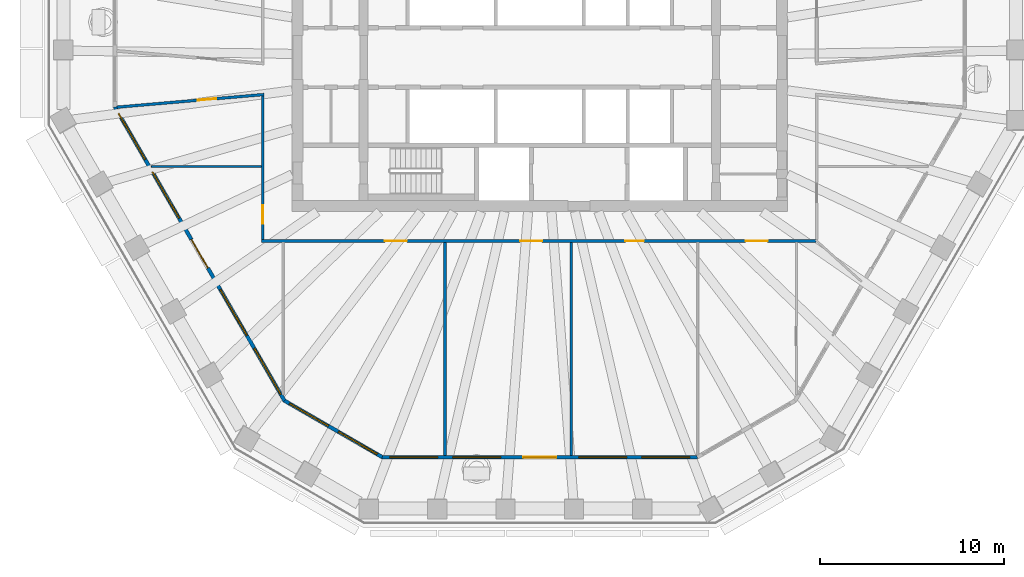
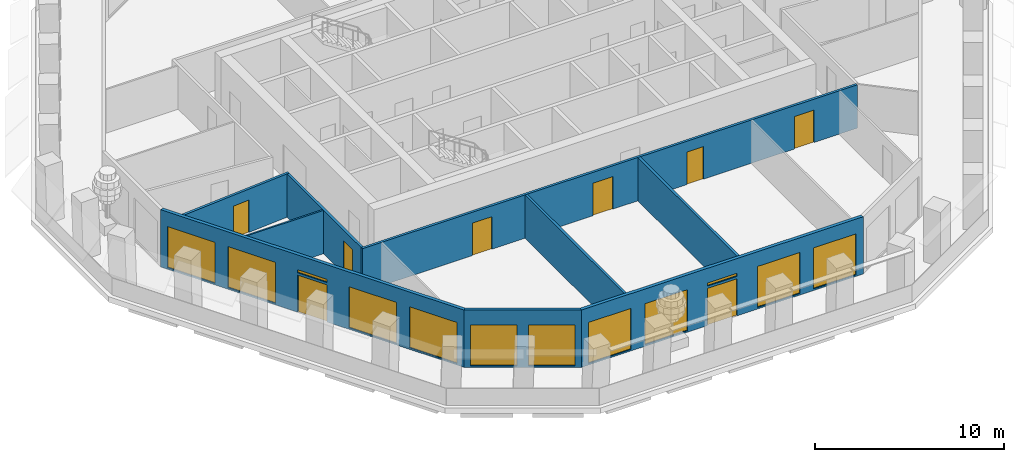
# One storey, part 3 of 12: 12 windows, 9 walls, 8 doors, 20 openings.
"""IFC4 building model written with IfcOpenShell, lengths in metres."""

import ifcopenshell
import ifcopenshell.guid

model = None  # the IFC model being written
_history = None  # IfcOwnerHistory: only IFC2X3 demands one
_inside = {}  # id of a spatial element -> (the spatial element, [elements in it])
_under = {}  # id of a project, library or spatial element -> (it, [spatial elements below it])
_declared = {}  # id of a project -> (the project, [libraries it declares])
_typed = {}  # id of a type object -> (the type object, [elements of that type])
_made_of = {}  # id of a material, layer set ... -> (it, [elements and type objects made of it])


def new_model(schema):
    """Start an empty IFC model of exactly this schema.

    Asked for "IFC4X3", IfcOpenShell would pick the latest addendum, in which some entities
    have other attributes; the version numbers below select the first issue.
    IFC2X3 requires an IfcOwnerHistory on every rooted entity: one is made here for all.
    """
    global model, _history
    if schema == "IFC4X3":
        model = ifcopenshell.file(schema_version=(4, 3, 0, 0))
    else:
        model = ifcopenshell.file(schema=schema)
    _inside.clear()
    _under.clear()
    _declared.clear()
    _typed.clear()
    _made_of.clear()
    _history = None
    if model.schema == "IFC2X3":
        org = make("IfcOrganization", Name="unknown")
        user = make(
            "IfcPersonAndOrganization",
            ThePerson=make("IfcPerson", FamilyName="unknown"),
            TheOrganization=org,
        )
        app = make(
            "IfcApplication",
            ApplicationDeveloper=org,
            Version="unknown",
            ApplicationFullName="unknown",
            ApplicationIdentifier="unknown",
        )
        _history = make(
            "IfcOwnerHistory",
            OwningUser=user,
            OwningApplication=app,
            ChangeAction="ADDED",
            CreationDate=0,
        )
    return model


def make(cls, **values):
    """One entity of the class cls with the attributes given. An attribute that is None is left unset."""
    return model.create_entity(
        cls, **{name: value for name, value in values.items() if value is not None}
    )


def rooted(cls, **values):
    """An entity with a GlobalId (a new one), such as an element, a storey or a relation."""
    return make(cls, GlobalId=ifcopenshell.guid.new(), OwnerHistory=_history, **values)


def si_unit(unit_type, name, prefix=None):
    """IfcSIUnit, for example si_unit("LENGTHUNIT", "METRE", prefix="MILLI")."""
    return make("IfcSIUnit", UnitType=unit_type, Prefix=prefix, Name=name)


def assignment(units):
    """IfcUnitAssignment: the units of a project."""
    return None if units is None else make("IfcUnitAssignment", Units=units)


def point(xyz):
    """IfcCartesianPoint."""
    return None if xyz is None else make("IfcCartesianPoint", Coordinates=xyz)


def direction(xyz):
    """IfcDirection."""
    return None if xyz is None else make("IfcDirection", DirectionRatios=xyz)


def frame(location, z_axis=None, x_axis=None):
    """IfcAxis2Placement3D, a coordinate frame: its origin and axes. An axis left out is left unset."""
    return make(
        "IfcAxis2Placement3D",
        Location=point(location),
        Axis=direction(z_axis),
        RefDirection=direction(x_axis),
    )


def frame_2d(location, x_axis=None):
    """IfcAxis2Placement2D, a coordinate frame in the plane: its origin and x axis."""
    return make(
        "IfcAxis2Placement2D", Location=point(location), RefDirection=direction(x_axis)
    )


def origin():
    """The frame at (0, 0, 0) with its axes left unset."""
    return frame((0.0, 0.0, 0.0))


def place(relative_to, where):
    """IfcLocalPlacement: puts the frame where relative to a parent placement (None: the world)."""
    return make(
        "IfcLocalPlacement", PlacementRelTo=relative_to, RelativePlacement=where
    )


def context(
    kind, dimensions, precision=None, world=None, true_north=None, identifier=None
):
    """IfcGeometricRepresentationContext, for example the 3D "Model" context."""
    return make(
        "IfcGeometricRepresentationContext",
        ContextIdentifier=identifier,
        ContextType=kind,
        CoordinateSpaceDimension=dimensions,
        Precision=precision,
        WorldCoordinateSystem=world,
        TrueNorth=true_north,
    )


def subcontext(parent, identifier, kind, view, scale=None):
    """IfcGeometricRepresentationSubContext, for example "Body" below "Model"."""
    return make(
        "IfcGeometricRepresentationSubContext",
        ContextIdentifier=identifier,
        ContextType=kind,
        ParentContext=parent,
        TargetScale=scale,
        TargetView=view,
    )


def project(units=None, contexts=None):
    """IfcProject with its units and contexts."""
    return rooted(
        "IfcProject",
        Name="project",
        RepresentationContexts=contexts,
        UnitsInContext=assignment(units),
    )


def spatial(cls, under=None, at=None, **own):
    """A site, building, storey or space (cls), placed at a placement, below another one or the project."""
    s = rooted(cls, ObjectPlacement=at, **own)
    if under is not None:
        _under.setdefault(under.id(), (under, []))[1].append(s)
    return s


def polyline(points):
    """IfcPolyline through the points."""
    return make("IfcPolyline", Points=[point(p) for p in points])


def profile(cls, at=None, kind="AREA", **sizes):
    """A parametric profile (cls). Its sizes go by their IFC names, for example OverallWidth=200.0."""
    return make(cls, ProfileType=kind, Position=at, **sizes)


def rectangle(**sizes):
    """IfcRectangleProfileDef."""
    return profile("IfcRectangleProfileDef", **sizes)


def outline(outer, holes=None, kind="AREA"):
    """IfcArbitraryClosedProfileDef: a profile drawn as a closed curve; with holes, ...WithVoids."""
    if holes is None:
        return make("IfcArbitraryClosedProfileDef", ProfileType=kind, OuterCurve=outer)
    return make(
        "IfcArbitraryProfileDefWithVoids",
        ProfileType=kind,
        OuterCurve=outer,
        InnerCurves=holes,
    )


def extrude(swept, where, along, depth):
    """IfcExtrudedAreaSolid: the profile swept, set in the frame where, extruded along a direction by depth."""
    return make(
        "IfcExtrudedAreaSolid",
        SweptArea=swept,
        Position=where,
        ExtrudedDirection=direction(along),
        Depth=depth,
    )


def shape(context_of_items, identifier, shape_type, items):
    """IfcShapeRepresentation: the items that make up one representation, for example the "Body"."""
    return make(
        "IfcShapeRepresentation",
        ContextOfItems=context_of_items,
        RepresentationIdentifier=identifier,
        RepresentationType=shape_type,
        Items=items,
    )


def material(Name=None, Category=None):
    """IfcMaterial."""
    return make("IfcMaterial", Name=Name, Category=Category)


def layer(
    of_material, thickness, ventilated=None, Name=None, Category=None, Priority=None
):
    """IfcMaterialLayer: one layer of a wall or slab, of a material (None: an air gap)."""
    return make(
        "IfcMaterialLayer",
        Material=of_material,
        LayerThickness=thickness,
        IsVentilated=ventilated,
        Name=Name,
        Category=Category,
        Priority=Priority,
    )


def layer_set(layers, Name=None):
    """IfcMaterialLayerSet."""
    return make("IfcMaterialLayerSet", MaterialLayers=layers, LayerSetName=Name)


def made_of(thing, what):
    """Note that an element or type object is made of a material, layer set ...; save() writes the relation."""
    if what is not None:
        _made_of.setdefault(what.id(), (what, []))[1].append(thing)
    return thing


def type_object(cls, material=None, **own):
    """A type object (cls), such as IfcWallType, which elements share."""
    return made_of(rooted(cls, **own), material)


def element(
    cls,
    number,
    at=None,
    inside=None,
    cuts=None,
    type_object=None,
    material=None,
    context=None,
    identifier="Body",
    shape_type=None,
    held_by="IfcProductDefinitionShape",
    body=None,
    shapes=None,
    **own,
):
    """One element of the class cls, such as IfcWall. Its Tag is "e" and its number.

    at: its placement. inside: the storey or other place that contains it. cuts: it is an
    opening in that element (IfcRelVoidsElement). A single representation is given by context,
    identifier, shape_type and body (its items); several are given by shapes. held_by: the class
    of the entity that holds the representations. save() writes the other relations.
    """
    e = rooted(cls, Tag="e%d" % number, ObjectPlacement=at, **own)
    if body is not None:
        shapes = [shape(context, identifier, shape_type, body)]
    if shapes is not None:
        e.Representation = make(held_by, Representations=shapes)
    if inside is not None:
        _inside.setdefault(inside.id(), (inside, []))[1].append(e)
    if cuts is not None:
        rooted(
            "IfcRelVoidsElement", RelatingBuildingElement=cuts, RelatedOpeningElement=e
        )
    if type_object is not None:
        _typed.setdefault(type_object.id(), (type_object, []))[1].append(e)
    return made_of(e, material)


def fill(opening, filler):
    """IfcRelFillsElement: the door or window that sits in an opening."""
    return rooted(
        "IfcRelFillsElement",
        RelatingOpeningElement=opening,
        RelatedBuildingElement=filler,
    )


def aggregate(whole, parts):
    """IfcRelAggregates: a whole, such as a stair, and the parts it consists of."""
    return rooted("IfcRelAggregates", RelatingObject=whole, RelatedObjects=parts)


def save(model, path):
    """Write the relations noted so far, then the file.

    IfcRelAggregates (storeys below a building ...), IfcRelContainedInSpatialStructure (elements
    in a storey), IfcRelDefinesByType, IfcRelAssociatesMaterial and IfcRelDeclares: one each for
    every whole, place, type object, material and project.
    """
    for whole, parts in _under.values():
        aggregate(whole, parts)
    for where, things in _inside.values():
        rooted(
            "IfcRelContainedInSpatialStructure",
            RelatedElements=things,
            RelatingStructure=where,
        )
    for kind, things in _typed.values():
        rooted("IfcRelDefinesByType", RelatedObjects=things, RelatingType=kind)
    for what, things in _made_of.values():
        rooted("IfcRelAssociatesMaterial", RelatedObjects=things, RelatingMaterial=what)
    for by, libraries in _declared.values():
        rooted("IfcRelDeclares", RelatingContext=by, RelatedDefinitions=libraries)
    model.write(path)


model = new_model("IFC4")

# Units and contexts
model_context = context("Model", 3, precision=1e-05, world=origin(), true_north=direction((0.0, 1.0)))
body_context = subcontext(model_context, "Body", "Model", "MODEL_VIEW")
ifc_project = project(units=[si_unit("LENGTHUNIT", "METRE"), si_unit("AREAUNIT", "SQUARE_METRE"), si_unit("VOLUMEUNIT", "CUBIC_METRE"), si_unit("PLANEANGLEUNIT", "RADIAN"), si_unit("MASSUNIT", "GRAM", prefix="KILO")], contexts=[model_context])

# Site, building, storey
site_placement = place(None, origin())
site = spatial("IfcSite", under=ifc_project, at=site_placement, CompositionType="ELEMENT")
building_placement = place(site_placement, origin())
building = spatial("IfcBuilding", under=site, at=building_placement, Name="Frailejon Research Tower", CompositionType="ELEMENT")
storey_placement = place(building_placement, frame((0.0, 0.0, 223.39990234375)))
storey = spatial("IfcBuildingStorey", under=building, at=storey_placement, Name="L48", CompositionType="ELEMENT", Elevation=223.39990234375)

# Wall, opening, door
ifc_material_1 = material(Name="Gypsum board and masonry partition", Category="masonry")
ifc_layer_1 = layer(ifc_material_1, 0.14990234375)
ifc_layer_set_1 = layer_set([ifc_layer_1], Name="Corridor wall EI 60, gypsum on steel studs 150")
wall_type_1 = type_object("IfcWallType", Name="Corridor wall EI 60, gypsum on steel studs 150", PredefinedType="PARTITIONING", material=ifc_layer_set_1)
wall_1_placement = place(storey_placement, frame((-15.10009765625, -9.925048828125, 0.0), z_axis=(0.0, 0.0, 1.0), x_axis=(0.0, 1.0, 0.0)))
wall_1 = element("IfcWall", 1, at=wall_1_placement, inside=storey, type_object=wall_type_1, Name="T:IW:L48:004", PredefinedType="PARTITIONING", context=body_context, shape_type="SweptSolid", body=[
    extrude(rectangle(XDim=7.825439453125, YDim=0.14990234375, at=frame_2d((3.91259765625, 0.0))), origin(), (0.0, 0.0, 1.0), 2.800048828125),
])
opening_1_placement = place(wall_1_placement, frame((0.8662109375, 0.0, 0.0)))
opening_1 = element("IfcOpeningElement", 2, at=opening_1_placement, cuts=wall_1, Name="Opening D1983", PredefinedType="OPENING", context=body_context, shape_type="SweptSolid", body=[
    extrude(rectangle(XDim=1.0, YDim=2.10009765625, at=frame_2d((0.5, 1.050048828125))), frame((0.0, 0.0849609375, 0.0), z_axis=(0.0, -1.0, 0.0), x_axis=(1.0, 0.0, 0.0)), (0.0, 0.0, 1.0), 0.169921875),
])
ifc_material_2 = material(Name="Timber door leaf", Category="wood")
door_type_1 = type_object("IfcDoorType", Name="Door single leaf, timber, steel frame 1000", OperationType="NOTDEFINED", PredefinedType="DOOR", material=ifc_material_2)
door_1_placement = place(opening_1_placement, origin())
door_1 = element("IfcDoor", 3, at=door_1_placement, inside=storey, type_object=door_type_1, Name="D1983", OperationType="SINGLE_SWING_RIGHT", OverallHeight=2.10009765625, OverallWidth=1.0, PredefinedType="DOOR", context=body_context, shape_type="SweptSolid", body=[
    extrude(rectangle(XDim=1.0, YDim=2.10009765625, at=frame_2d((0.5, 1.050048828125))), frame((0.0, 0.02490234375, 0.0), z_axis=(0.0, -1.0, 0.0), x_axis=(1.0, 0.0, 0.0)), (0.0, 0.0, 1.0), 0.050048828125),
])
fill(opening_1, door_1)

# Wall, openings, doors
wall_2_placement = place(storey_placement, frame((-15.175048828125, -10.0, 0.0), z_axis=(0.0, 0.0, 1.0), x_axis=(1.0, 0.0, 0.0)))
wall_2 = element("IfcWall", 4, at=wall_2_placement, inside=storey, type_object=wall_type_1, Name="T:IW:L48:006", PredefinedType="PARTITIONING", context=body_context, shape_type="SweptSolid", body=[
    extrude(rectangle(XDim=30.22509765625, YDim=0.14990234375, at=frame_2d((15.112548828125, 0.0))), origin(), (0.0, 0.0, 1.0), 2.800048828125),
])
opening_2_placement = place(wall_2_placement, frame((6.727783203125, 0.0, 0.0)))
opening_2 = element("IfcOpeningElement", 5, at=opening_2_placement, cuts=wall_2, Name="Opening D1984", PredefinedType="OPENING", context=body_context, shape_type="SweptSolid", body=[
    extrude(rectangle(XDim=1.199951171875, YDim=2.10009765625, at=frame_2d((0.60009765625, 1.050048828125))), frame((0.0, 0.0849609375, 0.0), z_axis=(0.0, -1.0, 0.0), x_axis=(1.0, 0.0, 0.0)), (0.0, 0.0, 1.0), 0.169921875),
])
opening_3_placement = place(wall_2_placement, frame((14.10009765625, 0.0, 0.0)))
opening_3 = element("IfcOpeningElement", 6, at=opening_3_placement, cuts=wall_2, Name="Opening D1985", PredefinedType="OPENING", context=body_context, shape_type="SweptSolid", body=[
    extrude(rectangle(XDim=1.199951171875, YDim=2.10009765625, at=frame_2d((0.60009765625, 1.050048828125))), frame((0.0, 0.0849609375, 0.0), z_axis=(0.0, -1.0, 0.0), x_axis=(1.0, 0.0, 0.0)), (0.0, 0.0, 1.0), 0.169921875),
])
opening_4_placement = place(wall_2_placement, frame((19.84228515625, 0.0, 0.0)))
opening_4 = element("IfcOpeningElement", 7, at=opening_4_placement, cuts=wall_2, Name="Opening D1986", PredefinedType="OPENING", context=body_context, shape_type="SweptSolid", body=[
    extrude(rectangle(XDim=1.0, YDim=2.10009765625, at=frame_2d((0.5, 1.050048828125))), frame((0.0, 0.0849609375, 0.0), z_axis=(0.0, -1.0, 0.0), x_axis=(1.0, 0.0, 0.0)), (0.0, 0.0, 1.0), 0.169921875),
])
opening_5_placement = place(wall_2_placement, frame((26.395751953125, 0.0, 0.0)))
opening_5 = element("IfcOpeningElement", 8, at=opening_5_placement, cuts=wall_2, Name="Opening D1987", PredefinedType="OPENING", context=body_context, shape_type="SweptSolid", body=[
    extrude(rectangle(XDim=1.199951171875, YDim=2.10009765625, at=frame_2d((0.60009765625, 1.050048828125))), frame((0.0, 0.0849609375, 0.0), z_axis=(0.0, -1.0, 0.0), x_axis=(1.0, 0.0, 0.0)), (0.0, 0.0, 1.0), 0.169921875),
])
ifc_material_3 = material(Name="Timber door leaf", Category="wood")
door_type_2 = type_object("IfcDoorType", Name="Door laboratory, timber, vision panel 1200", OperationType="NOTDEFINED", PredefinedType="DOOR", material=ifc_material_3)
door_2_placement = place(opening_3_placement, origin())
door_2 = element("IfcDoor", 9, at=door_2_placement, inside=storey, type_object=door_type_2, Name="D1985", OperationType="DOUBLE_DOOR_SINGLE_SWING", OverallHeight=2.10009765625, OverallWidth=1.199951171875, PredefinedType="DOOR", context=body_context, shape_type="SweptSolid", body=[
    extrude(rectangle(XDim=1.199951171875, YDim=2.10009765625, at=frame_2d((0.60009765625, 1.050048828125))), frame((0.0, 0.02490234375, 0.0), z_axis=(0.0, -1.0, 0.0), x_axis=(1.0, 0.0, 0.0)), (0.0, 0.0, 1.0), 0.050048828125),
])
fill(opening_3, door_2)
door_3_placement = place(opening_4_placement, origin())
door_3 = element("IfcDoor", 10, at=door_3_placement, inside=storey, type_object=door_type_1, Name="D1986", OperationType="SINGLE_SWING_LEFT", OverallHeight=2.10009765625, OverallWidth=1.0, PredefinedType="DOOR", context=body_context, shape_type="SweptSolid", body=[
    extrude(rectangle(XDim=1.0, YDim=2.10009765625, at=frame_2d((0.5, 1.050048828125))), frame((0.0, 0.02490234375, 0.0), z_axis=(0.0, -1.0, 0.0), x_axis=(1.0, 0.0, 0.0)), (0.0, 0.0, 1.0), 0.050048828125),
])
fill(opening_4, door_3)
ifc_material_4 = material(Name="Timber door leaf", Category="wood")
door_type_3 = type_object("IfcDoorType", Name="Door single leaf, timber, steel frame 1200", OperationType="NOTDEFINED", PredefinedType="DOOR", material=ifc_material_4)
door_4_placement = place(opening_2_placement, origin())
door_4 = element("IfcDoor", 11, at=door_4_placement, inside=storey, type_object=door_type_3, Name="D1984", OperationType="DOUBLE_DOOR_SINGLE_SWING", OverallHeight=2.10009765625, OverallWidth=1.199951171875, PredefinedType="DOOR", context=body_context, shape_type="SweptSolid", body=[
    extrude(rectangle(XDim=1.199951171875, YDim=2.10009765625, at=frame_2d((0.60009765625, 1.050048828125))), frame((0.0, 0.02490234375, 0.0), z_axis=(0.0, -1.0, 0.0), x_axis=(1.0, 0.0, 0.0)), (0.0, 0.0, 1.0), 0.050048828125),
])
fill(opening_2, door_4)
door_5_placement = place(opening_5_placement, origin())
door_5 = element("IfcDoor", 12, at=door_5_placement, inside=storey, type_object=door_type_3, Name="D1987", OperationType="DOUBLE_DOOR_SINGLE_SWING", OverallHeight=2.10009765625, OverallWidth=1.199951171875, PredefinedType="DOOR", context=body_context, shape_type="SweptSolid", body=[
    extrude(rectangle(XDim=1.199951171875, YDim=2.10009765625, at=frame_2d((0.60009765625, 1.050048828125))), frame((0.0, 0.02490234375, 0.0), z_axis=(0.0, -1.0, 0.0), x_axis=(1.0, 0.0, 0.0)), (0.0, 0.0, 1.0), 0.050048828125),
])
fill(opening_5, door_5)

# Wall, opening, door
wall_3_placement = place(storey_placement, frame((-23.031982421875, -2.707275390625, 0.0), z_axis=(0.0, 0.0, 1.0), x_axis=(0.99631556311, 0.085763038105, 0.0)))
wall_3 = element("IfcWall", 13, at=wall_3_placement, inside=storey, type_object=wall_type_1, Name="T:IW:L48:008", PredefinedType="PARTITIONING", context=body_context, shape_type="SweptSolid", body=[
    extrude(rectangle(XDim=8.0361328125, YDim=0.14990234375, at=frame_2d((4.01806640625, 0.0))), origin(), (0.0, 0.0, 1.0), 2.800048828125),
])
opening_6_placement = place(wall_3_placement, frame((4.419921875, 0.0, 0.0)))
opening_6 = element("IfcOpeningElement", 14, at=opening_6_placement, cuts=wall_3, Name="Opening D1982", PredefinedType="OPENING", context=body_context, shape_type="SweptSolid", body=[
    extrude(rectangle(XDim=1.0, YDim=2.10009765625, at=frame_2d((0.5, 1.050048828125))), frame((0.0, 0.0849609375, 0.0), z_axis=(0.0, -1.0, 0.0), x_axis=(1.0, 0.0, 0.0)), (0.0, 0.0, 1.0), 0.169921875),
])
door_6_placement = place(opening_6_placement, origin())
door_6 = element("IfcDoor", 15, at=door_6_placement, inside=storey, type_object=door_type_1, Name="D1982", OperationType="SINGLE_SWING_RIGHT", OverallHeight=2.10009765625, OverallWidth=1.0, PredefinedType="DOOR", context=body_context, shape_type="SweptSolid", body=[
    extrude(rectangle(XDim=1.0, YDim=2.10009765625, at=frame_2d((0.5, 1.050048828125))), frame((0.0, 0.02490234375, 0.0), z_axis=(0.0, -1.0, 0.0), x_axis=(1.0, 0.0, 0.0)), (0.0, 0.0, 1.0), 0.050048828125),
])
fill(opening_6, door_6)

# Walls
ifc_material_5 = material(Name="Gypsum board and masonry partition", Category="masonry")
ifc_layer_2 = layer(ifc_material_5, 0.14990234375)
ifc_layer_set_2 = layer_set([ifc_layer_2], Name="Laboratory partition, blockwork 150")
wall_type_2 = type_object("IfcWallType", Name="Laboratory partition, blockwork 150", PredefinedType="PARTITIONING", material=ifc_layer_set_2)
for number, where, z_axis, x_axis, name in (
    (16, (-5.167236328125, -21.677001953125, 0.0), (0.0, 0.0, 1.0), (0.0, 1.0, 0.0), "T:IW:L48:011"),
    (17, (1.722412109375, -21.677001953125, 0.0), (0.0, 0.0, 1.0), (0.0, 1.0, 0.0), "T:IW:L48:012"),
):
    element("IfcWall", number, at=place(storey_placement, frame(where, z_axis=z_axis, x_axis=x_axis)), inside=storey, type_object=wall_type_2, Name=name, PredefinedType="PARTITIONING", context=body_context, shape_type="SweptSolid", body=[
        extrude(rectangle(XDim=11.60205078125, YDim=0.14990234375, at=frame_2d((5.801025390625, 0.0))), origin(), (0.0, 0.0, 1.0), 2.800048828125),
    ])
ifc_material_6 = material(Name="Gypsum board and masonry partition", Category="masonry")
ifc_layer_3 = layer(ifc_material_6, 0.10009765625)
ifc_layer_set_3 = layer_set([ifc_layer_3], Name="Partition, gypsum on steel studs 100")
wall_type_3 = type_object("IfcWallType", Name="Partition, gypsum on steel studs 100", PredefinedType="PARTITIONING", material=ifc_layer_set_3)
wall_4_placement = place(storey_placement, frame((-21.168212890625, -5.935791015625, 0.0), z_axis=(0.0, 0.0, 1.0), x_axis=(1.0, 0.0, 0.0)))
element("IfcWall", 18, at=wall_4_placement, inside=storey, type_object=wall_type_3, Name="T:IW:L48:018", PredefinedType="PARTITIONING", context=body_context, shape_type="SweptSolid", body=[
    extrude(rectangle(XDim=5.9931640625, YDim=0.10009765625, at=frame_2d((2.99658203125, 0.0))), origin(), (0.0, 0.0, 1.0), 2.800048828125),
])

# Wall, openings, door, windows
ifc_material_7 = material(Name="Concrete C40/50 precast window wall panel", Category="concrete")
ifc_layer_4 = layer(ifc_material_7, 0.199951171875)
ifc_layer_set_4 = layer_set([ifc_layer_4], Name="Window wall 200")
wall_type_4 = type_object("IfcWallType", Name="Window wall 200", PredefinedType="SOLIDWALL", material=ifc_layer_set_4)
wall_5_placement = place(storey_placement, frame((-23.152099609375, -2.69921875, 0.0), z_axis=(0.0, 0.0, 1.0), x_axis=(0.499993148765, -0.866029359311, 0.0)))
wall_5 = element("IfcWall", 19, at=wall_5_placement, inside=storey, type_object=wall_type_4, Name="Exterior wall L48", PredefinedType="SOLIDWALL", context=body_context, shape_type="SweptSolid", body=[
    extrude(outline(polyline([(-0.02685546875, -0.10009765625), (1.002685546875, -0.10009765625), (2.031982421875, -0.10009765625), (3.0615234375, -0.10009765625), (4.091064453125, -0.10009765625), (5.12060546875, -0.10009765625), (6.14990234375, -0.10009765625), (7.179443359375, -0.10009765625), (8.208984375, -0.10009765625), (9.23828125, -0.10009765625), (10.267822265625, -0.10009765625), (11.29736328125, -0.10009765625), (12.326904296875, -0.10009765625), (13.356201171875, -0.10009765625), (14.3857421875, -0.10009765625), (15.415283203125, -0.10009765625), (16.44482421875, -0.10009765625), (17.47412109375, -0.10009765625), (18.503662109375, -0.10009765625), (18.449951171875, 0.10009765625), (17.426513671875, 0.10009765625), (16.40283203125, 0.10009765625), (15.37939453125, 0.10009765625), (14.35595703125, 0.10009765625), (13.33251953125, 0.10009765625), (12.308837890625, 0.10009765625), (11.285400390625, 0.10009765625), (10.261962890625, 0.10009765625), (9.23828125, 0.10009765625), (8.21484375, 0.10009765625), (7.19140625, 0.10009765625), (6.16796875, 0.10009765625), (5.144287109375, 0.10009765625), (4.120849609375, 0.10009765625), (3.097412109375, 0.10009765625), (2.073974609375, 0.10009765625), (1.05029296875, 0.10009765625), (0.02685546875, 0.10009765625), (-0.02685546875, -0.10009765625)])), origin(), (0.0, 0.0, 1.0), 3.7001953125),
])
opening_7_placement = place(wall_5_placement, frame((0.397705078125, 0.0, 0.10009765625)))
opening_7 = element("IfcOpeningElement", 20, at=opening_7_placement, cuts=wall_5, Name="Opening W20", PredefinedType="OPENING", context=body_context, shape_type="SweptSolid", body=[
    extrude(rectangle(XDim=2.89990234375, YDim=2.64990234375, at=frame_2d((1.449951171875, 1.324951171875))), frame((0.0, 0.10986328125, 0.0), z_axis=(0.0, -1.0, 0.0), x_axis=(1.0, 0.0, 0.0)), (0.0, 0.0, 1.0), 0.219970703125),
])
opening_8_placement = place(wall_5_placement, frame((4.093017578125, 0.0, 0.10009765625)))
opening_8 = element("IfcOpeningElement", 21, at=opening_8_placement, cuts=wall_5, Name="Opening W20", PredefinedType="OPENING", context=body_context, shape_type="SweptSolid", body=[
    extrude(rectangle(XDim=2.89990234375, YDim=2.64990234375, at=frame_2d((1.449951171875, 1.324951171875))), frame((0.0, 0.10986328125, 0.0), z_axis=(0.0, -1.0, 0.0), x_axis=(1.0, 0.0, 0.0)), (0.0, 0.0, 1.0), 0.219970703125),
])
opening_9_placement = place(wall_5_placement, frame((8.33837890625, 0.0, 0.0)))
opening_9 = element("IfcOpeningElement", 22, at=opening_9_placement, cuts=wall_5, Name="Opening LG48-4", PredefinedType="OPENING", context=body_context, shape_type="SweptSolid", body=[
    extrude(rectangle(XDim=1.800048828125, YDim=2.39990234375, at=frame_2d((0.89990234375, 1.199951171875))), frame((0.0, 0.10986328125, 0.0), z_axis=(0.0, -1.0, 0.0), x_axis=(1.0, 0.0, 0.0)), (0.0, 0.0, 1.0), 0.219970703125),
])
opening_10_placement = place(wall_5_placement, frame((8.33837890625, 0.0, 2.550048828125)))
opening_10 = element("IfcOpeningElement", 23, at=opening_10_placement, cuts=wall_5, Name="Opening W19", PredefinedType="OPENING", context=body_context, shape_type="SweptSolid", body=[
    extrude(rectangle(XDim=1.800048828125, YDim=0.199951171875, at=frame_2d((0.89990234375, 0.10009765625))), frame((0.0, 0.10986328125, 0.0), z_axis=(0.0, -1.0, 0.0), x_axis=(1.0, 0.0, 0.0)), (0.0, 0.0, 1.0), 0.219970703125),
])
opening_11_placement = place(wall_5_placement, frame((11.483642578125, 0.0, 0.10009765625)))
opening_11 = element("IfcOpeningElement", 24, at=opening_11_placement, cuts=wall_5, Name="Opening W20", PredefinedType="OPENING", context=body_context, shape_type="SweptSolid", body=[
    extrude(rectangle(XDim=2.89990234375, YDim=2.64990234375, at=frame_2d((1.449951171875, 1.324951171875))), frame((0.0, 0.10986328125, 0.0), z_axis=(0.0, -1.0, 0.0), x_axis=(1.0, 0.0, 0.0)), (0.0, 0.0, 1.0), 0.219970703125),
])
opening_12_placement = place(wall_5_placement, frame((15.178955078125, 0.0, 0.10009765625)))
opening_12 = element("IfcOpeningElement", 25, at=opening_12_placement, cuts=wall_5, Name="Opening W20", PredefinedType="OPENING", context=body_context, shape_type="SweptSolid", body=[
    extrude(rectangle(XDim=2.89990234375, YDim=2.64990234375, at=frame_2d((1.449951171875, 1.324951171875))), frame((0.0, 0.10986328125, 0.0), z_axis=(0.0, -1.0, 0.0), x_axis=(1.0, 0.0, 0.0)), (0.0, 0.0, 1.0), 0.219970703125),
])
ifc_material_8 = material(Name="Aluminium framed glazed door leaf", Category="aluminium")
door_type_4 = type_object("IfcDoorType", Name="Loggia door 1800x2400", OperationType="DOUBLE_DOOR_SINGLE_SWING", PredefinedType="DOOR", material=ifc_material_8)
door_7_placement = place(opening_9_placement, origin())
door_7 = element("IfcDoor", 26, at=door_7_placement, inside=storey, type_object=door_type_4, Name="Door LG48-4", OperationType="DOUBLE_DOOR_SINGLE_SWING", OverallHeight=2.39990234375, OverallWidth=1.800048828125, PredefinedType="DOOR", context=body_context, shape_type="SweptSolid", body=[
    extrude(rectangle(XDim=1.800048828125, YDim=2.39990234375, at=frame_2d((0.89990234375, 1.199951171875))), frame((0.0, 0.02490234375, 0.0), z_axis=(0.0, -1.0, 0.0), x_axis=(1.0, 0.0, 0.0)), (0.0, 0.0, 1.0), 0.050048828125),
])
fill(opening_9, door_7)
ifc_material_9 = material(Name="Aluminium framed double glazing", Category="aluminium")
window_type_1 = type_object("IfcWindowType", Name="Window 1800x200", PartitioningType="SINGLE_PANEL", PredefinedType="WINDOW", material=ifc_material_9)
window_1_placement = place(opening_10_placement, origin())
window_1 = element("IfcWindow", 27, at=window_1_placement, inside=storey, type_object=window_type_1, Name="Window L48", OverallHeight=0.199951171875, OverallWidth=1.800048828125, PartitioningType="SINGLE_PANEL", PredefinedType="WINDOW", context=body_context, shape_type="SweptSolid", body=[
    extrude(rectangle(XDim=1.800048828125, YDim=0.199951171875, at=frame_2d((0.89990234375, 0.10009765625))), frame((0.0, 0.030029296875, 0.0), z_axis=(0.0, -1.0, 0.0), x_axis=(1.0, 0.0, 0.0)), (0.0, 0.0, 1.0), 0.06005859375),
])
fill(opening_10, window_1)
ifc_material_10 = material(Name="Aluminium framed double glazing", Category="aluminium")
window_type_2 = type_object("IfcWindowType", Name="Window 2900x2650", PartitioningType="SINGLE_PANEL", PredefinedType="WINDOW", material=ifc_material_10)
window_2_placement = place(opening_7_placement, origin())
window_2 = element("IfcWindow", 28, at=window_2_placement, inside=storey, type_object=window_type_2, Name="Window L48", OverallHeight=2.64990234375, OverallWidth=2.89990234375, PartitioningType="SINGLE_PANEL", PredefinedType="WINDOW", context=body_context, shape_type="SweptSolid", body=[
    extrude(rectangle(XDim=2.89990234375, YDim=2.64990234375, at=frame_2d((1.449951171875, 1.324951171875))), frame((0.0, 0.030029296875, 0.0), z_axis=(0.0, -1.0, 0.0), x_axis=(1.0, 0.0, 0.0)), (0.0, 0.0, 1.0), 0.06005859375),
])
fill(opening_7, window_2)
window_3_placement = place(opening_8_placement, origin())
window_3 = element("IfcWindow", 29, at=window_3_placement, inside=storey, type_object=window_type_2, Name="Window L48", OverallHeight=2.64990234375, OverallWidth=2.89990234375, PartitioningType="SINGLE_PANEL", PredefinedType="WINDOW", context=body_context, shape_type="SweptSolid", body=[
    extrude(rectangle(XDim=2.89990234375, YDim=2.64990234375, at=frame_2d((1.449951171875, 1.324951171875))), frame((0.0, 0.030029296875, 0.0), z_axis=(0.0, -1.0, 0.0), x_axis=(1.0, 0.0, 0.0)), (0.0, 0.0, 1.0), 0.06005859375),
])
fill(opening_8, window_3)
window_4_placement = place(opening_11_placement, origin())
window_4 = element("IfcWindow", 30, at=window_4_placement, inside=storey, type_object=window_type_2, Name="Window L48", OverallHeight=2.64990234375, OverallWidth=2.89990234375, PartitioningType="SINGLE_PANEL", PredefinedType="WINDOW", context=body_context, shape_type="SweptSolid", body=[
    extrude(rectangle(XDim=2.89990234375, YDim=2.64990234375, at=frame_2d((1.449951171875, 1.324951171875))), frame((0.0, 0.030029296875, 0.0), z_axis=(0.0, -1.0, 0.0), x_axis=(1.0, 0.0, 0.0)), (0.0, 0.0, 1.0), 0.06005859375),
])
fill(opening_11, window_4)
window_5_placement = place(opening_12_placement, origin())
window_5 = element("IfcWindow", 31, at=window_5_placement, inside=storey, type_object=window_type_2, Name="Window L48", OverallHeight=2.64990234375, OverallWidth=2.89990234375, PartitioningType="SINGLE_PANEL", PredefinedType="WINDOW", context=body_context, shape_type="SweptSolid", body=[
    extrude(rectangle(XDim=2.89990234375, YDim=2.64990234375, at=frame_2d((1.449951171875, 1.324951171875))), frame((0.0, 0.030029296875, 0.0), z_axis=(0.0, -1.0, 0.0), x_axis=(1.0, 0.0, 0.0)), (0.0, 0.0, 1.0), 0.06005859375),
])
fill(opening_12, window_5)

# Wall, openings, windows
wall_6_placement = place(storey_placement, frame((-13.913818359375, -18.70068359375, 0.0), z_axis=(0.0, 0.0, 1.0), x_axis=(0.866029647142, -0.499992650217, 0.0)))
wall_6 = element("IfcWall", 32, at=wall_6_placement, inside=storey, type_object=wall_type_4, Name="Exterior wall L48", PredefinedType="SOLIDWALL", context=body_context, shape_type="SweptSolid", body=[
    extrude(outline(polyline([(-0.02685546875, -0.10009765625), (1.007568359375, -0.10009765625), (2.0419921875, -0.10009765625), (3.076416015625, -0.10009765625), (4.11083984375, -0.10009765625), (5.145263671875, -0.10009765625), (6.1796875, -0.10009765625), (6.1259765625, 0.10009765625), (5.109375, 0.10009765625), (4.093017578125, 0.10009765625), (3.076416015625, 0.10009765625), (2.059814453125, 0.10009765625), (1.04345703125, 0.10009765625), (0.02685546875, 0.10009765625), (-0.02685546875, -0.10009765625)])), origin(), (0.0, 0.0, 1.0), 3.7001953125),
])
opening_13_placement = place(wall_6_placement, frame((0.313232421875, 0.0, 0.10009765625)))
opening_13 = element("IfcOpeningElement", 33, at=opening_13_placement, cuts=wall_6, Name="Opening W17", PredefinedType="OPENING", context=body_context, shape_type="SweptSolid", body=[
    extrude(rectangle(XDim=2.449951171875, YDim=2.64990234375, at=frame_2d((1.22509765625, 1.324951171875))), frame((0.0, 0.10986328125, 0.0), z_axis=(0.0, -1.0, 0.0), x_axis=(1.0, 0.0, 0.0)), (0.0, 0.0, 1.0), 0.219970703125),
])
opening_14_placement = place(wall_6_placement, frame((3.3896484375, 0.0, 0.10009765625)))
opening_14 = element("IfcOpeningElement", 34, at=opening_14_placement, cuts=wall_6, Name="Opening W17", PredefinedType="OPENING", context=body_context, shape_type="SweptSolid", body=[
    extrude(rectangle(XDim=2.449951171875, YDim=2.64990234375, at=frame_2d((1.22509765625, 1.324951171875))), frame((0.0, 0.10986328125, 0.0), z_axis=(0.0, -1.0, 0.0), x_axis=(1.0, 0.0, 0.0)), (0.0, 0.0, 1.0), 0.219970703125),
])
ifc_material_11 = material(Name="Aluminium framed double glazing", Category="aluminium")
window_type_3 = type_object("IfcWindowType", Name="Window 2450x2650", PartitioningType="SINGLE_PANEL", PredefinedType="WINDOW", material=ifc_material_11)
window_6_placement = place(opening_13_placement, origin())
window_6 = element("IfcWindow", 35, at=window_6_placement, inside=storey, type_object=window_type_3, Name="Window L48", OverallHeight=2.64990234375, OverallWidth=2.449951171875, PartitioningType="SINGLE_PANEL", PredefinedType="WINDOW", context=body_context, shape_type="SweptSolid", body=[
    extrude(rectangle(XDim=2.449951171875, YDim=2.64990234375, at=frame_2d((1.22509765625, 1.324951171875))), frame((0.0, 0.030029296875, 0.0), z_axis=(0.0, -1.0, 0.0), x_axis=(1.0, 0.0, 0.0)), (0.0, 0.0, 1.0), 0.06005859375),
])
fill(opening_13, window_6)
window_7_placement = place(opening_14_placement, origin())
window_7 = element("IfcWindow", 36, at=window_7_placement, inside=storey, type_object=window_type_3, Name="Window L48", OverallHeight=2.64990234375, OverallWidth=2.449951171875, PartitioningType="SINGLE_PANEL", PredefinedType="WINDOW", context=body_context, shape_type="SweptSolid", body=[
    extrude(rectangle(XDim=2.449951171875, YDim=2.64990234375, at=frame_2d((1.22509765625, 1.324951171875))), frame((0.0, 0.030029296875, 0.0), z_axis=(0.0, -1.0, 0.0), x_axis=(1.0, 0.0, 0.0)), (0.0, 0.0, 1.0), 0.06005859375),
])
fill(opening_14, window_7)

# Wall, openings, door, windows
wall_7_placement = place(storey_placement, frame((-8.585205078125, -21.777099609375, 0.0), z_axis=(0.0, 0.0, 1.0), x_axis=(1.0, 0.0, 0.0)))
wall_7 = element("IfcWall", 37, at=wall_7_placement, inside=storey, type_object=wall_type_4, Name="Exterior wall L48", PredefinedType="SOLIDWALL", context=body_context, shape_type="SweptSolid", body=[
    extrude(outline(polyline([(-0.02685546875, -0.10009765625), (0.986328125, -0.10009765625), (1.99951171875, -0.10009765625), (3.0126953125, -0.10009765625), (4.02587890625, -0.10009765625), (5.0390625, -0.10009765625), (6.05224609375, -0.10009765625), (7.0654296875, -0.10009765625), (8.07861328125, -0.10009765625), (9.091796875, -0.10009765625), (10.10498046875, -0.10009765625), (11.1181640625, -0.10009765625), (12.13134765625, -0.10009765625), (13.14453125, -0.10009765625), (14.15771484375, -0.10009765625), (15.1708984375, -0.10009765625), (16.18408203125, -0.10009765625), (17.197265625, -0.10009765625), (17.1435546875, 0.10009765625), (16.13671875, 0.10009765625), (15.1298828125, 0.10009765625), (14.123046875, 0.10009765625), (13.1162109375, 0.10009765625), (12.109130859375, 0.10009765625), (11.102294921875, 0.10009765625), (10.095458984375, 0.10009765625), (9.088623046875, 0.10009765625), (8.081787109375, 0.10009765625), (7.074951171875, 0.10009765625), (6.068115234375, 0.10009765625), (5.061279296875, 0.10009765625), (4.05419921875, 0.10009765625), (3.04736328125, 0.10009765625), (2.04052734375, 0.10009765625), (1.03369140625, 0.10009765625), (0.02685546875, 0.10009765625), (-0.02685546875, -0.10009765625)])), origin(), (0.0, 0.0, 1.0), 3.7001953125),
])
opening_15_placement = place(wall_7_placement, frame((0.4169921875, 0.0, 0.10009765625)))
opening_15 = element("IfcOpeningElement", 38, at=opening_15_placement, cuts=wall_7, Name="Opening W18", PredefinedType="OPENING", context=body_context, shape_type="SweptSolid", body=[
    extrude(rectangle(XDim=2.60009765625, YDim=2.64990234375, at=frame_2d((1.300048828125, 1.324951171875))), frame((0.0, 0.10986328125, 0.0), z_axis=(0.0, -1.0, 0.0), x_axis=(1.0, 0.0, 0.0)), (0.0, 0.0, 1.0), 0.219970703125),
])
opening_16_placement = place(wall_7_placement, frame((3.85107421875, 0.0, 0.10009765625)))
opening_16 = element("IfcOpeningElement", 39, at=opening_16_placement, cuts=wall_7, Name="Opening W18", PredefinedType="OPENING", context=body_context, shape_type="SweptSolid", body=[
    extrude(rectangle(XDim=2.60009765625, YDim=2.64990234375, at=frame_2d((1.300048828125, 1.324951171875))), frame((0.0, 0.10986328125, 0.0), z_axis=(0.0, -1.0, 0.0), x_axis=(1.0, 0.0, 0.0)), (0.0, 0.0, 1.0), 0.219970703125),
])
opening_17_placement = place(wall_7_placement, frame((7.685302734375, 0.0, 0.0)))
opening_17 = element("IfcOpeningElement", 40, at=opening_17_placement, cuts=wall_7, Name="Opening LG48-5", PredefinedType="OPENING", context=body_context, shape_type="SweptSolid", body=[
    extrude(rectangle(XDim=1.800048828125, YDim=2.39990234375, at=frame_2d((0.89990234375, 1.199951171875))), frame((0.0, 0.10986328125, 0.0), z_axis=(0.0, -1.0, 0.0), x_axis=(1.0, 0.0, 0.0)), (0.0, 0.0, 1.0), 0.219970703125),
])
opening_18_placement = place(wall_7_placement, frame((7.685302734375, 0.0, 2.550048828125)))
opening_18 = element("IfcOpeningElement", 41, at=opening_18_placement, cuts=wall_7, Name="Opening W19", PredefinedType="OPENING", context=body_context, shape_type="SweptSolid", body=[
    extrude(rectangle(XDim=1.800048828125, YDim=0.199951171875, at=frame_2d((0.89990234375, 0.10009765625))), frame((0.0, 0.10986328125, 0.0), z_axis=(0.0, -1.0, 0.0), x_axis=(1.0, 0.0, 0.0)), (0.0, 0.0, 1.0), 0.219970703125),
])
opening_19_placement = place(wall_7_placement, frame((10.71923828125, 0.0, 0.10009765625)))
opening_19 = element("IfcOpeningElement", 42, at=opening_19_placement, cuts=wall_7, Name="Opening W18", PredefinedType="OPENING", context=body_context, shape_type="SweptSolid", body=[
    extrude(rectangle(XDim=2.60009765625, YDim=2.64990234375, at=frame_2d((1.300048828125, 1.324951171875))), frame((0.0, 0.10986328125, 0.0), z_axis=(0.0, -1.0, 0.0), x_axis=(1.0, 0.0, 0.0)), (0.0, 0.0, 1.0), 0.219970703125),
])
opening_20_placement = place(wall_7_placement, frame((14.1533203125, 0.0, 0.10009765625)))
opening_20 = element("IfcOpeningElement", 43, at=opening_20_placement, cuts=wall_7, Name="Opening W18", PredefinedType="OPENING", context=body_context, shape_type="SweptSolid", body=[
    extrude(rectangle(XDim=2.60009765625, YDim=2.64990234375, at=frame_2d((1.300048828125, 1.324951171875))), frame((0.0, 0.10986328125, 0.0), z_axis=(0.0, -1.0, 0.0), x_axis=(1.0, 0.0, 0.0)), (0.0, 0.0, 1.0), 0.219970703125),
])
door_8_placement = place(opening_17_placement, origin())
door_8 = element("IfcDoor", 44, at=door_8_placement, inside=storey, type_object=door_type_4, Name="Door LG48-5", OperationType="DOUBLE_DOOR_SINGLE_SWING", OverallHeight=2.39990234375, OverallWidth=1.800048828125, PredefinedType="DOOR", context=body_context, shape_type="SweptSolid", body=[
    extrude(rectangle(XDim=1.800048828125, YDim=2.39990234375, at=frame_2d((0.89990234375, 1.199951171875))), frame((0.0, 0.02490234375, 0.0), z_axis=(0.0, -1.0, 0.0), x_axis=(1.0, 0.0, 0.0)), (0.0, 0.0, 1.0), 0.050048828125),
])
fill(opening_17, door_8)
window_8_placement = place(opening_18_placement, origin())
window_8 = element("IfcWindow", 45, at=window_8_placement, inside=storey, type_object=window_type_1, Name="Window L48", OverallHeight=0.199951171875, OverallWidth=1.800048828125, PartitioningType="SINGLE_PANEL", PredefinedType="WINDOW", context=body_context, shape_type="SweptSolid", body=[
    extrude(rectangle(XDim=1.800048828125, YDim=0.199951171875, at=frame_2d((0.89990234375, 0.10009765625))), frame((0.0, 0.030029296875, 0.0), z_axis=(0.0, -1.0, 0.0), x_axis=(1.0, 0.0, 0.0)), (0.0, 0.0, 1.0), 0.06005859375),
])
fill(opening_18, window_8)
ifc_material_12 = material(Name="Aluminium framed double glazing", Category="aluminium")
window_type_4 = type_object("IfcWindowType", Name="Window 2600x2650", PartitioningType="SINGLE_PANEL", PredefinedType="WINDOW", material=ifc_material_12)
window_9_placement = place(opening_15_placement, origin())
window_9 = element("IfcWindow", 46, at=window_9_placement, inside=storey, type_object=window_type_4, Name="Window L48", OverallHeight=2.64990234375, OverallWidth=2.60009765625, PartitioningType="SINGLE_PANEL", PredefinedType="WINDOW", context=body_context, shape_type="SweptSolid", body=[
    extrude(rectangle(XDim=2.60009765625, YDim=2.64990234375, at=frame_2d((1.300048828125, 1.324951171875))), frame((0.0, 0.030029296875, 0.0), z_axis=(0.0, -1.0, 0.0), x_axis=(1.0, 0.0, 0.0)), (0.0, 0.0, 1.0), 0.06005859375),
])
fill(opening_15, window_9)
window_10_placement = place(opening_16_placement, origin())
window_10 = element("IfcWindow", 47, at=window_10_placement, inside=storey, type_object=window_type_4, Name="Window L48", OverallHeight=2.64990234375, OverallWidth=2.60009765625, PartitioningType="SINGLE_PANEL", PredefinedType="WINDOW", context=body_context, shape_type="SweptSolid", body=[
    extrude(rectangle(XDim=2.60009765625, YDim=2.64990234375, at=frame_2d((1.300048828125, 1.324951171875))), frame((0.0, 0.030029296875, 0.0), z_axis=(0.0, -1.0, 0.0), x_axis=(1.0, 0.0, 0.0)), (0.0, 0.0, 1.0), 0.06005859375),
])
fill(opening_16, window_10)
window_11_placement = place(opening_19_placement, origin())
window_11 = element("IfcWindow", 48, at=window_11_placement, inside=storey, type_object=window_type_4, Name="Window L48", OverallHeight=2.64990234375, OverallWidth=2.60009765625, PartitioningType="SINGLE_PANEL", PredefinedType="WINDOW", context=body_context, shape_type="SweptSolid", body=[
    extrude(rectangle(XDim=2.60009765625, YDim=2.64990234375, at=frame_2d((1.300048828125, 1.324951171875))), frame((0.0, 0.030029296875, 0.0), z_axis=(0.0, -1.0, 0.0), x_axis=(1.0, 0.0, 0.0)), (0.0, 0.0, 1.0), 0.06005859375),
])
fill(opening_19, window_11)
window_12_placement = place(opening_20_placement, origin())
window_12 = element("IfcWindow", 49, at=window_12_placement, inside=storey, type_object=window_type_4, Name="Window L48", OverallHeight=2.64990234375, OverallWidth=2.60009765625, PartitioningType="SINGLE_PANEL", PredefinedType="WINDOW", context=body_context, shape_type="SweptSolid", body=[
    extrude(rectangle(XDim=2.60009765625, YDim=2.64990234375, at=frame_2d((1.300048828125, 1.324951171875))), frame((0.0, 0.030029296875, 0.0), z_axis=(0.0, -1.0, 0.0), x_axis=(1.0, 0.0, 0.0)), (0.0, 0.0, 1.0), 0.06005859375),
])
fill(opening_20, window_12)

save(model, "model.ifc")
